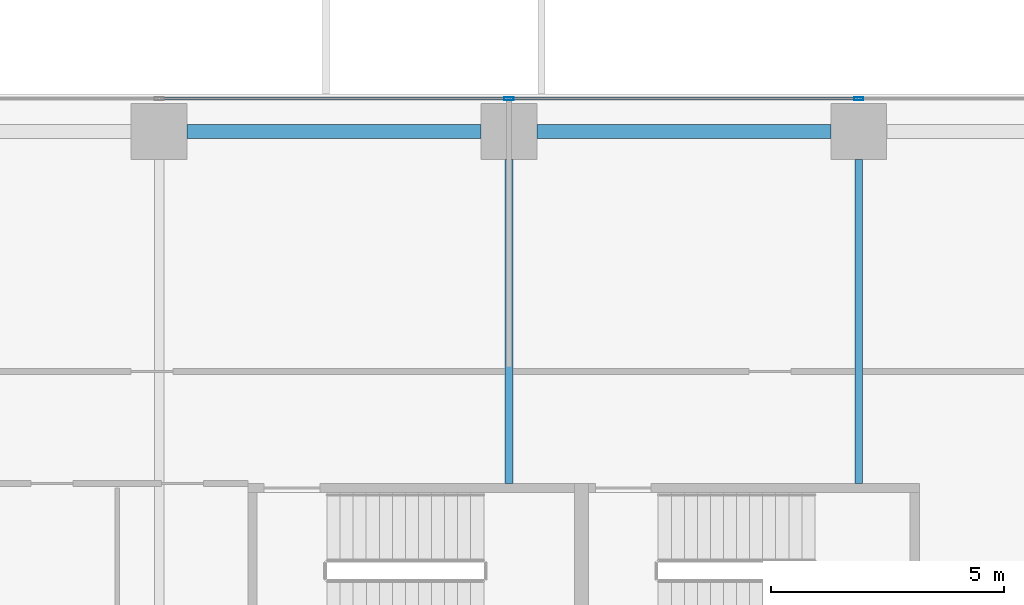
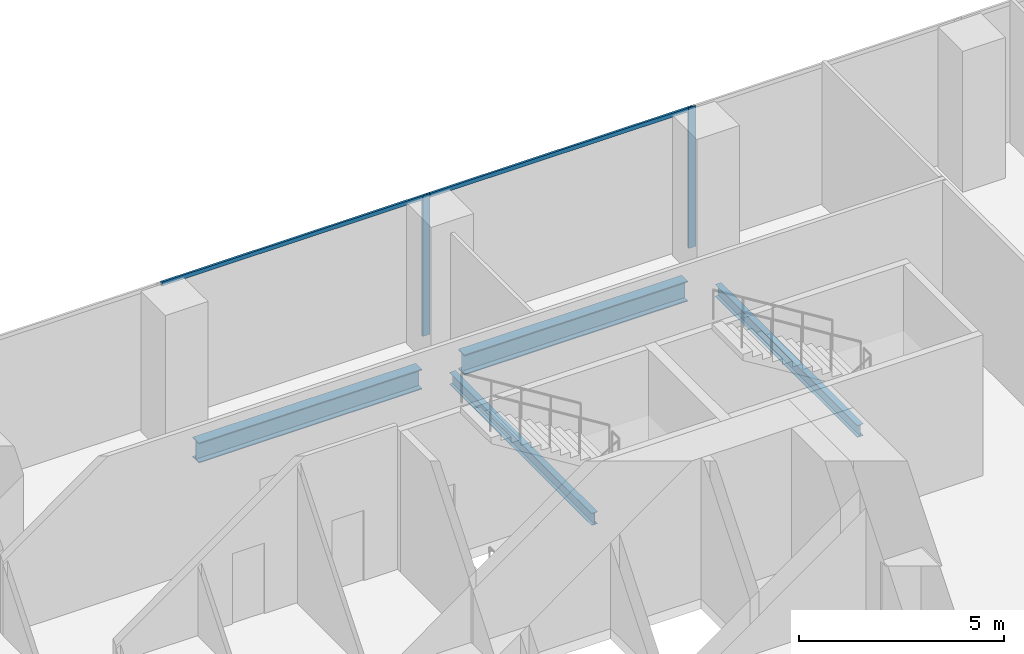
# One storey, part 15 of 32: 4 beams, 4 members, 1 element without a shape of its own.
"""IFC4 building model written with IfcOpenShell, lengths in metres."""

from ifc_helpers import new_model, si_unit, direction, frame, origin, origin_2d, place, context, subcontext, project, spatial, hollow_rectangle, i_section, extrude, source, transform, mapped, material, material_profile, profile_set, type_object, element, aggregate, save


model = new_model("IFC4")

# Units and contexts
model_context = context("Model", 3, precision=1e-05, world=origin(), true_north=direction((0.0, 1.0)))
body_context = subcontext(model_context, "Body", "Model", "MODEL_VIEW")
ifc_project = project(units=[si_unit("LENGTHUNIT", "METRE"), si_unit("AREAUNIT", "SQUARE_METRE"), si_unit("VOLUMEUNIT", "CUBIC_METRE"), si_unit("PLANEANGLEUNIT", "RADIAN"), si_unit("MASSUNIT", "GRAM", prefix="KILO")], contexts=[model_context])

# Site, building, storey
site_placement = place(None, origin())
site = spatial("IfcSite", under=ifc_project, at=site_placement, CompositionType="ELEMENT")
building_placement = place(site_placement, origin())
building = spatial("IfcBuilding", under=site, at=building_placement, Name="Khomas Fold Tower", CompositionType="ELEMENT")
storey_placement = place(building_placement, frame((0.0, 0.0, 64.5)))
storey = spatial("IfcBuildingStorey", under=building, at=storey_placement, Name="L13", CompositionType="ELEMENT", Elevation=64.5)

# Beams
ifc_material_1 = material(Name="Steel S355", Category="steel")
ifc_material_profile_1 = material_profile(ifc_material_1, i_section(OverallWidth=0.169921875, OverallDepth=0.360107421875, WebThickness=0.008056640625, FlangeThickness=0.0126953125, at=origin_2d()), Name="IPE 360")
ifc_profile_set_1 = profile_set([ifc_material_profile_1], Name="Steel S355")
beam_type_1 = type_object("IfcBeamType", Name="IPE 360 beam JB2", PredefinedType="BEAM", material=ifc_profile_set_1)
shared_shape_1 = source(origin(), body_context, "Body", "SweptSolid", [
    extrude(i_section(OverallWidth=0.169921875, OverallDepth=0.360107421875, WebThickness=0.008056640625, FlangeThickness=0.0126953125, at=origin_2d()), origin(), (0.0, 0.0, 1.0), 6.9501953125),
])
for number, where, z_axis, x_axis, name in (
    (1, (19.5, 45.64990234375, -0.47998046875), (0.0, 1.0, 0.0), (-1.0, 0.0, 0.0), "JB2"),
    (2, (27.0, 45.64990234375, -0.47998046875), (0.0, 1.0, 0.0), (-1.0, 0.0, 0.0), "JB2"),
):
    element("IfcBeam", number, at=place(storey_placement, frame(where, z_axis=z_axis, x_axis=x_axis)), inside=storey, type_object=beam_type_1, Name=name, PredefinedType="BEAM", context=body_context, shape_type="MappedRepresentation", body=[
        mapped(shared_shape_1, transform((0.0, 0.0, 0.0))),
    ])
ifc_material_2 = material(Name="Steel S355", Category="steel")
ifc_material_profile_2 = material_profile(ifc_material_2, i_section(OverallWidth=0.300048828125, OverallDepth=0.60009765625, WebThickness=0.015380859375, FlangeThickness=0.030029296875, at=origin_2d()), Name="HE 600 B")
ifc_profile_set_2 = profile_set([ifc_material_profile_2], Name="Steel S355")
beam_type_2 = type_object("IfcBeamType", Name="HE 600 B spandrel SB1", PredefinedType="SPANDREL", material=ifc_profile_set_2)
shared_shape_2 = source(origin(), body_context, "Body", "SweptSolid", [
    extrude(i_section(OverallWidth=0.300048828125, OverallDepth=0.60009765625, WebThickness=0.015380859375, FlangeThickness=0.030029296875, at=origin_2d()), origin(), (0.0, 0.0, 1.0), 6.2998046875),
])
for number, where, z_axis, x_axis, name in (
    (3, (20.10009765625, 53.199951171875, -0.60009765625), (1.0, 0.0, 0.0), (0.0, 1.0, 0.0), "SB1"),
    (4, (12.60009765625, 53.199951171875, -0.60009765625), (1.0, 0.0, 0.0), (0.0, 1.0, 0.0), "SB1"),
):
    element("IfcBeam", number, at=place(storey_placement, frame(where, z_axis=z_axis, x_axis=x_axis)), inside=storey, type_object=beam_type_2, Name=name, PredefinedType="SPANDREL", context=body_context, shape_type="MappedRepresentation", body=[
        mapped(shared_shape_2, transform((0.0, 0.0, 0.0))),
    ])

# Curtain wall, members
ifc_material_3 = material(Name="Aluminium framed double glazing", Category="aluminium")
curtain_wall_type = type_object("IfcCurtainWallType", Name="SK-Unitised clear-glass wall, growing floors CW1", PredefinedType="NOTDEFINED", material=ifc_material_3)
curtain_wall_placement = place(storey_placement, origin())
curtain_wall = element("IfcCurtainWall", 5, at=curtain_wall_placement, inside=storey, type_object=curtain_wall_type, Name="CW1 run L13 06-0", PredefinedType="NOTDEFINED")
ifc_material_4 = material(Name="Aluminium", Category="aluminium")
ifc_material_profile_3 = material_profile(ifc_material_4, hollow_rectangle(XDim=0.06005859375, YDim=0.1201171875, WallThickness=0.00390625, at=origin_2d()), Name="SK-Unitised clear-glass wall, growing floors transom CW1-T")
ifc_profile_set_3 = profile_set([ifc_material_profile_3], Name="Aluminium")
member_type_1 = type_object("IfcMemberType", Name="SK-Unitised clear-glass wall, growing floors transom CW1-T", PredefinedType="USERDEFINED", material=ifc_profile_set_3)
shared_shape_3 = source(origin(), body_context, "Body", "SweptSolid", [
    extrude(hollow_rectangle(XDim=0.06005859375, YDim=0.1201171875, WallThickness=0.00390625, at=origin_2d()), origin(), (0.0, 0.0, 1.0), 7.43994140625),
])
member_1_placement = place(storey_placement, frame((26.969970703125, 53.89990234375, 4.139892578125), z_axis=(-1.0, 0.0, 0.0), x_axis=(0.0, -1.0, 0.0)))
member_1 = element("IfcMember", 6, at=member_1_placement, type_object=member_type_1, Name="CW1 transom 5", ObjectType="TRANSOM", PredefinedType="USERDEFINED", context=body_context, shape_type="MappedRepresentation", body=[
    mapped(shared_shape_3, transform((0.0, 0.0, 0.0))),
])
member_2_placement = place(storey_placement, frame((19.469970703125, 53.89990234375, 4.139892578125), z_axis=(-1.0, 0.0, 0.0), x_axis=(0.0, -1.0, 0.0)))
member_2 = element("IfcMember", 7, at=member_2_placement, type_object=member_type_1, Name="CW1 transom 6", ObjectType="TRANSOM", PredefinedType="USERDEFINED", context=body_context, shape_type="MappedRepresentation", body=[
    mapped(shared_shape_3, transform((0.0, 0.0, 0.0))),
])
ifc_material_5 = material(Name="Aluminium", Category="aluminium")
ifc_material_profile_4 = material_profile(ifc_material_5, hollow_rectangle(XDim=0.06005859375, YDim=0.199951171875, WallThickness=0.00390625, at=origin_2d()), Name="SK-Unitised clear-glass wall, growing floors mullion CW1-M")
ifc_profile_set_4 = profile_set([ifc_material_profile_4], Name="Aluminium")
member_type_2 = type_object("IfcMemberType", Name="SK-Unitised clear-glass wall, growing floors mullion CW1-M", PredefinedType="MULLION", material=ifc_profile_set_4)
shared_shape_4 = source(origin(), body_context, "Body", "SweptSolid", [
    extrude(hollow_rectangle(XDim=0.06005859375, YDim=0.199951171875, WallThickness=0.00390625, at=origin_2d()), origin(), (0.0, 0.0, 1.0), 4.199951171875),
])
member_3_placement = place(storey_placement, frame((27.0, 53.89990234375, 0.0), z_axis=(0.0, 0.0, 1.0), x_axis=(0.0, -1.0, 0.0)))
member_3 = element("IfcMember", 8, at=member_3_placement, type_object=member_type_2, Name="CW1 mullion 5", PredefinedType="MULLION", context=body_context, shape_type="MappedRepresentation", body=[
    mapped(shared_shape_4, transform((0.0, 0.0, 0.0))),
])
member_4_placement = place(storey_placement, frame((19.5, 53.89990234375, 0.0), z_axis=(0.0, 0.0, 1.0), x_axis=(0.0, -1.0, 0.0)))
member_4 = element("IfcMember", 9, at=member_4_placement, type_object=member_type_2, Name="CW1 mullion 6", PredefinedType="MULLION", context=body_context, shape_type="MappedRepresentation", body=[
    mapped(shared_shape_4, transform((0.0, 0.0, 0.0))),
])
aggregate(curtain_wall, [member_3, member_4, member_1, member_2])

save(model, "model.ifc")
